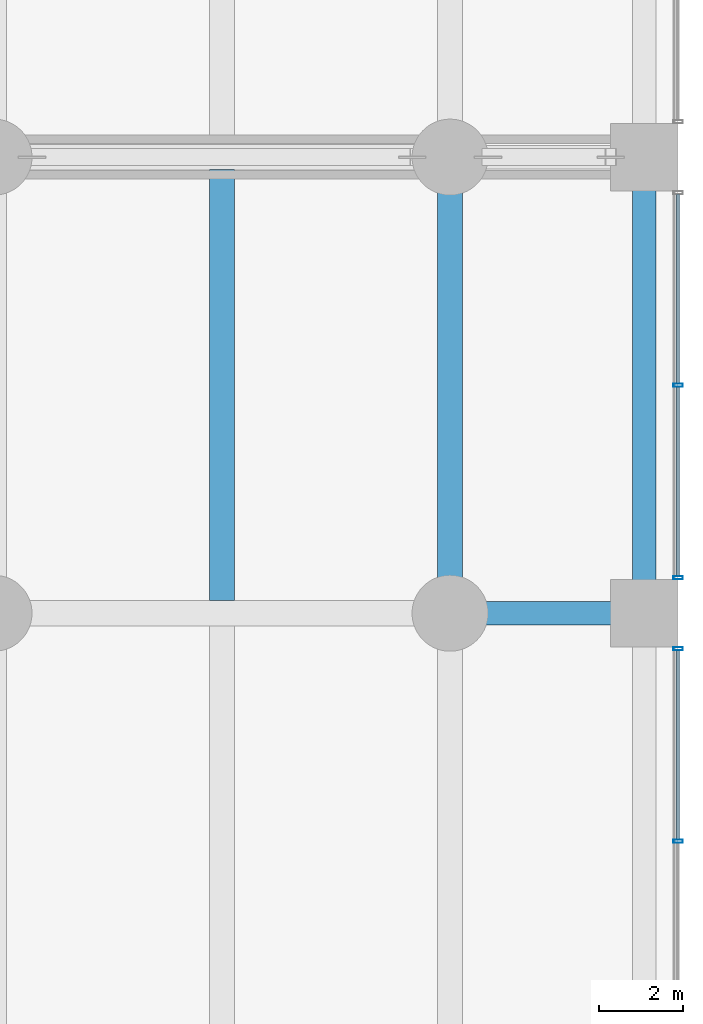
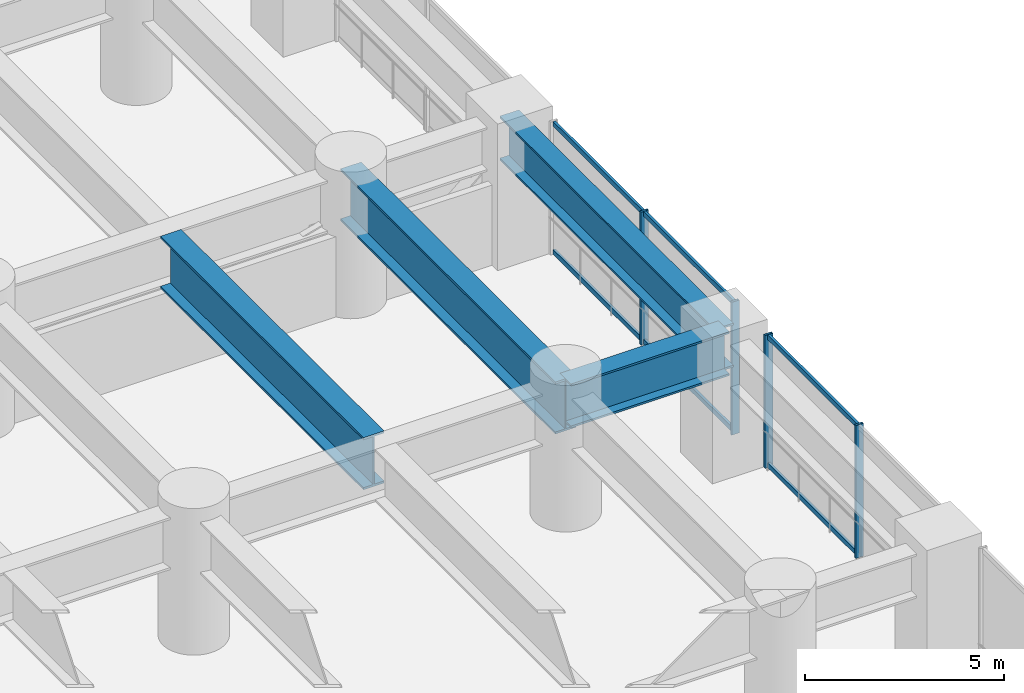
# One storey, part 20 of 37: 10 members, 4 beams, 2 elements without a shape of their own.
"""IFC4 building model written with IfcOpenShell, lengths in metres."""

from ifc_helpers import new_model, si_unit, direction, frame, origin, origin_2d, place, context, subcontext, project, spatial, hollow_rectangle, i_section, extrude, material, layer, layer_set, material_profile, profile_set, type_object, element, aggregate, save


model = new_model("IFC4")

# Units and contexts
model_context = context("Model", 3, precision=1e-05, world=origin(), true_north=direction((0.0, 1.0)))
body_context = subcontext(model_context, "Body", "Model", "MODEL_VIEW")
ifc_project = project(units=[si_unit("LENGTHUNIT", "METRE"), si_unit("AREAUNIT", "SQUARE_METRE"), si_unit("VOLUMEUNIT", "CUBIC_METRE"), si_unit("PLANEANGLEUNIT", "RADIAN"), si_unit("MASSUNIT", "GRAM", prefix="KILO")], contexts=[model_context])

# Site, building, storey
site_placement = place(None, origin())
site = spatial("IfcSite", under=ifc_project, at=site_placement, CompositionType="ELEMENT")
building_placement = place(site_placement, origin())
building = spatial("IfcBuilding", under=site, at=building_placement, Name="Surkhivell Harbour Commons", CompositionType="ELEMENT")
storey_placement = place(building_placement, frame((0.0, 0.0, 18.0)))
storey = spatial("IfcBuildingStorey", under=building, at=storey_placement, Name="L04", CompositionType="ELEMENT", Elevation=18.0)

# Beams
ifc_material_1 = material(Name="Steel S460", Category="steel")
ifc_material_profile_1 = material_profile(ifc_material_1, i_section(OverallWidth=0.550048828125, OverallDepth=1.35009765625, WebThickness=0.031982421875, FlangeThickness=0.06005859375, at=origin_2d()), Name="WPG1350x550x248")
ifc_profile_set_1 = profile_set([ifc_material_profile_1], Name="Steel S460")
beam_type_1 = type_object("IfcBeamType", Name="BM-TRF-1350", PredefinedType="BEAM", material=ifc_profile_set_1)
beam_1_placement = place(storey_placement, frame((32.39990234375, -10.800048828125, 3.405029296875), z_axis=(1.0, 0.0, 0.0), x_axis=(0.0, 1.0, 0.0)))
element("IfcBeam", 1, at=beam_1_placement, inside=storey, type_object=beam_type_1, Name="L04 Transfer Girder (32.4,-10.8)", PredefinedType="BEAM", context=body_context, shape_type="SweptSolid", body=[
    extrude(i_section(OverallWidth=0.550048828125, OverallDepth=1.35009765625, WebThickness=0.031982421875, FlangeThickness=0.06005859375, at=origin_2d()), origin(), (0.0, 0.0, 1.0), 4.60009765625),
])
beam_2_placement = place(storey_placement, frame((37.0, -10.800048828125, 3.405029296875), z_axis=(0.0, 1.0, 0.0), x_axis=(-1.0, 0.0, 0.0)))
element("IfcBeam", 2, at=beam_2_placement, inside=storey, type_object=beam_type_1, Name="L04 Transfer Girder (37.0,-10.8)", PredefinedType="BEAM", context=body_context, shape_type="SweptSolid", body=[
    extrude(i_section(OverallWidth=0.550048828125, OverallDepth=1.35009765625, WebThickness=0.031982421875, FlangeThickness=0.06005859375, at=origin_2d()), origin(), (0.0, 0.0, 1.0), 10.800048828125),
])
ifc_material_profile_2 = material_profile(ifc_material_1, i_section(OverallWidth=0.60009765625, OverallDepth=1.60009765625, WebThickness=0.035888671875, FlangeThickness=0.06494140625, at=origin_2d()), Name="WPG1600x600x296")
ifc_profile_set_2 = profile_set([ifc_material_profile_2], Name="Steel S460")
beam_type_2 = type_object("IfcBeamType", Name="BM-TRF-1600", PredefinedType="BEAM", material=ifc_profile_set_2)
beam_3_placement = place(storey_placement, frame((32.39990234375, -10.800048828125, 3.280029296875), z_axis=(0.0, 1.0, 0.0), x_axis=(-1.0, 0.0, 0.0)))
element("IfcBeam", 3, at=beam_3_placement, inside=storey, type_object=beam_type_2, Name="L04 Transfer Girder (32.4,-10.8)", PredefinedType="BEAM", context=body_context, shape_type="SweptSolid", body=[
    extrude(i_section(OverallWidth=0.60009765625, OverallDepth=1.60009765625, WebThickness=0.035888671875, FlangeThickness=0.06494140625, at=origin_2d()), origin(), (0.0, 0.0, 1.0), 10.800048828125),
])
beam_4_placement = place(storey_placement, frame((27.0, -10.501953125, 3.280029296875), z_axis=(0.0, 1.0, 0.0), x_axis=(-1.0, 0.0, 0.0)))
element("IfcBeam", 4, at=beam_4_placement, inside=storey, type_object=beam_type_2, Name="L04 Secondary Transfer Girder (27.0,-10.8)", PredefinedType="BEAM", context=body_context, shape_type="SweptSolid", body=[
    extrude(i_section(OverallWidth=0.60009765625, OverallDepth=1.60009765625, WebThickness=0.035888671875, FlangeThickness=0.06494140625, at=origin_2d()), origin(), (0.0, 0.0, 1.0), 10.203857421875),
])

# Curtain wall, members
ifc_material_2 = material(Name="Anodised pale-metal aluminium and insulated glazing", Category="aluminium")
ifc_layer = layer(ifc_material_2, 0.239990234375)
ifc_layer_set = layer_set([ifc_layer], Name="Anodised pale-metal aluminium and insulated glazing")
curtain_wall_type = type_object("IfcCurtainWallType", Name="CW-SYS-POD", PredefinedType="NOTDEFINED", material=ifc_layer_set)
curtain_wall_1_placement = place(storey_placement, origin())
curtain_wall_1 = element("IfcCurtainWall", 5, at=curtain_wall_1_placement, inside=storey, type_object=curtain_wall_type, Name="L04 Curtain Wall CW-L04-E2", PredefinedType="NOTDEFINED")
ifc_material_3 = material(Name="Anodised pale-metal aluminium alloy 6063-T6", Category="aluminium")
ifc_material_profile_3 = material_profile(ifc_material_3, hollow_rectangle(XDim=0.074951171875, YDim=0.219970703125, WallThickness=0.00390625, at=origin_2d()), Name="ALU-MULL-75x220")
ifc_profile_set_3 = profile_set([ifc_material_profile_3], Name="Anodised pale-metal aluminium alloy 6063-T6")
member_type_1 = type_object("IfcMemberType", Name="CWM-220", PredefinedType="MULLION", material=ifc_profile_set_3)
member_1_placement = place(storey_placement, frame((37.800048828125, -11.639404296875, 0.0), z_axis=(0.0, 0.0, 1.0), x_axis=(0.0, -1.0, 0.0)))
member_1 = element("IfcMember", 6, at=member_1_placement, type_object=member_type_1, Name="CW-POD mullion 1", PredefinedType="MULLION", context=body_context, shape_type="SweptSolid", body=[
    extrude(hollow_rectangle(XDim=0.074951171875, YDim=0.219970703125, WallThickness=0.00390625, at=origin_2d()), origin(), (0.0, 0.0, 1.0), 4.080078125),
])
member_2_placement = place(storey_placement, frame((37.800048828125, -16.199951171875, 0.0), z_axis=(0.0, 0.0, 1.0), x_axis=(0.0, -1.0, 0.0)))
member_2 = element("IfcMember", 7, at=member_2_placement, type_object=member_type_1, Name="CW-POD mullion 2", PredefinedType="MULLION", context=body_context, shape_type="SweptSolid", body=[
    extrude(hollow_rectangle(XDim=0.074951171875, YDim=0.219970703125, WallThickness=0.00390625, at=origin_2d()), origin(), (0.0, 0.0, 1.0), 4.080078125),
])

curtain_wall_2_placement = place(storey_placement, origin())
curtain_wall_2 = element("IfcCurtainWall", 8, at=curtain_wall_2_placement, inside=storey, type_object=curtain_wall_type, Name="L04 Curtain Wall CW-L04-E3", PredefinedType="NOTDEFINED")
member_3_placement = place(storey_placement, frame((37.800048828125, -5.39990234375, 0.0), z_axis=(0.0, 0.0, 1.0), x_axis=(0.0, -1.0, 0.0)))
member_3 = element("IfcMember", 9, at=member_3_placement, type_object=member_type_1, Name="CW-POD mullion 2", PredefinedType="MULLION", context=body_context, shape_type="SweptSolid", body=[
    extrude(hollow_rectangle(XDim=0.074951171875, YDim=0.219970703125, WallThickness=0.00390625, at=origin_2d()), origin(), (0.0, 0.0, 1.0), 4.080078125),
])
member_4_placement = place(storey_placement, frame((37.800048828125, -9.96044921875, 0.0), z_axis=(0.0, 0.0, 1.0), x_axis=(0.0, -1.0, 0.0)))
member_4 = element("IfcMember", 10, at=member_4_placement, type_object=member_type_1, Name="CW-POD mullion 3", PredefinedType="MULLION", context=body_context, shape_type="SweptSolid", body=[
    extrude(hollow_rectangle(XDim=0.074951171875, YDim=0.219970703125, WallThickness=0.00390625, at=origin_2d()), origin(), (0.0, 0.0, 1.0), 4.080078125),
])

# Member
ifc_material_profile_4 = material_profile(ifc_material_3, hollow_rectangle(XDim=0.074951171875, YDim=0.14990234375, WallThickness=0.00341796875, at=origin_2d()), Name="ALU-TRAN-75x150")
ifc_profile_set_4 = profile_set([ifc_material_profile_4], Name="Anodised pale-metal aluminium alloy 6063-T6")
member_type_2 = type_object("IfcMemberType", Name="CWT-150", PredefinedType="USERDEFINED", material=ifc_profile_set_4)
member_5_placement = place(storey_placement, frame((37.800048828125, -11.677001953125, 0.074951171875), z_axis=(0.0, -1.0, 0.0), x_axis=(1.0, 0.0, 0.0)))
member_5 = element("IfcMember", 11, at=member_5_placement, type_object=member_type_2, Name="CW-POD transom 1.1", ObjectType="TRANSOM", PredefinedType="USERDEFINED", context=body_context, shape_type="SweptSolid", body=[
    extrude(hollow_rectangle(XDim=0.074951171875, YDim=0.14990234375, WallThickness=0.00341796875, at=origin_2d()), origin(), (0.0, 0.0, 1.0), 4.485595703125),
])

member_6_placement = place(storey_placement, frame((37.800048828125, -11.677001953125, 4.0048828125), z_axis=(0.0, -1.0, 0.0), x_axis=(1.0, 0.0, 0.0)))
member_6 = element("IfcMember", 12, at=member_6_placement, type_object=member_type_2, Name="CW-POD transom 1.2", ObjectType="TRANSOM", PredefinedType="USERDEFINED", context=body_context, shape_type="SweptSolid", body=[
    extrude(hollow_rectangle(XDim=0.074951171875, YDim=0.14990234375, WallThickness=0.00341796875, at=origin_2d()), origin(), (0.0, 0.0, 1.0), 4.485595703125),
])

aggregate(curtain_wall_1, [member_1, member_2, member_5, member_6])

member_7_placement = place(storey_placement, frame((37.800048828125, -0.876953125, 0.074951171875), z_axis=(0.0, -1.0, 0.0), x_axis=(1.0, 0.0, 0.0)))
member_7 = element("IfcMember", 13, at=member_7_placement, type_object=member_type_2, Name="CW-POD transom 1.1", ObjectType="TRANSOM", PredefinedType="USERDEFINED", context=body_context, shape_type="SweptSolid", body=[
    extrude(hollow_rectangle(XDim=0.074951171875, YDim=0.14990234375, WallThickness=0.00341796875, at=origin_2d()), origin(), (0.0, 0.0, 1.0), 4.485595703125),
])

member_8_placement = place(storey_placement, frame((37.800048828125, -0.876953125, 4.0048828125), z_axis=(0.0, -1.0, 0.0), x_axis=(1.0, 0.0, 0.0)))
member_8 = element("IfcMember", 14, at=member_8_placement, type_object=member_type_2, Name="CW-POD transom 1.2", ObjectType="TRANSOM", PredefinedType="USERDEFINED", context=body_context, shape_type="SweptSolid", body=[
    extrude(hollow_rectangle(XDim=0.074951171875, YDim=0.14990234375, WallThickness=0.00341796875, at=origin_2d()), origin(), (0.0, 0.0, 1.0), 4.485595703125),
])

member_9_placement = place(storey_placement, frame((37.800048828125, -5.4375, 0.074951171875), z_axis=(0.0, -1.0, 0.0), x_axis=(1.0, 0.0, 0.0)))
member_9 = element("IfcMember", 15, at=member_9_placement, type_object=member_type_2, Name="CW-POD transom 2.1", ObjectType="TRANSOM", PredefinedType="USERDEFINED", context=body_context, shape_type="SweptSolid", body=[
    extrude(hollow_rectangle(XDim=0.074951171875, YDim=0.14990234375, WallThickness=0.00341796875, at=origin_2d()), origin(), (0.0, 0.0, 1.0), 4.485595703125),
])

member_10_placement = place(storey_placement, frame((37.800048828125, -5.4375, 4.0048828125), z_axis=(0.0, -1.0, 0.0), x_axis=(1.0, 0.0, 0.0)))
member_10 = element("IfcMember", 16, at=member_10_placement, type_object=member_type_2, Name="CW-POD transom 2.2", ObjectType="TRANSOM", PredefinedType="USERDEFINED", context=body_context, shape_type="SweptSolid", body=[
    extrude(hollow_rectangle(XDim=0.074951171875, YDim=0.14990234375, WallThickness=0.00341796875, at=origin_2d()), origin(), (0.0, 0.0, 1.0), 4.485595703125),
])

aggregate(curtain_wall_2, [member_3, member_4, member_7, member_8, member_9, member_10])

save(model, "model.ifc")
